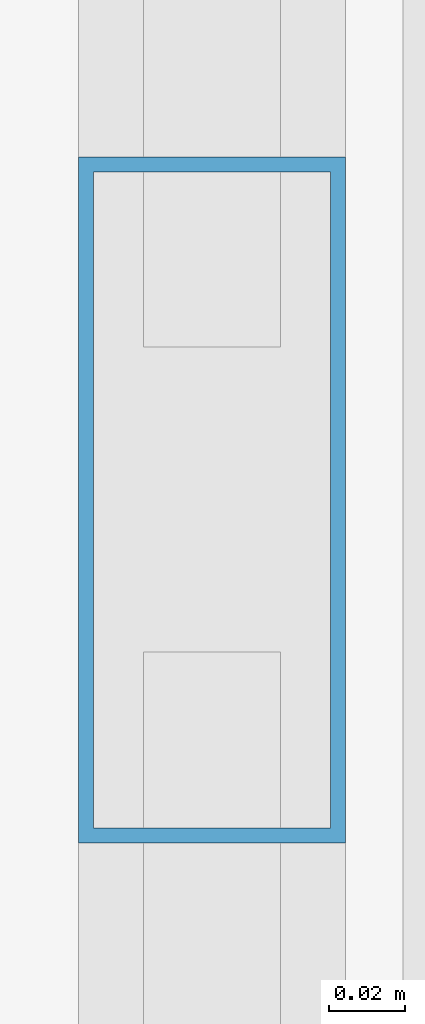
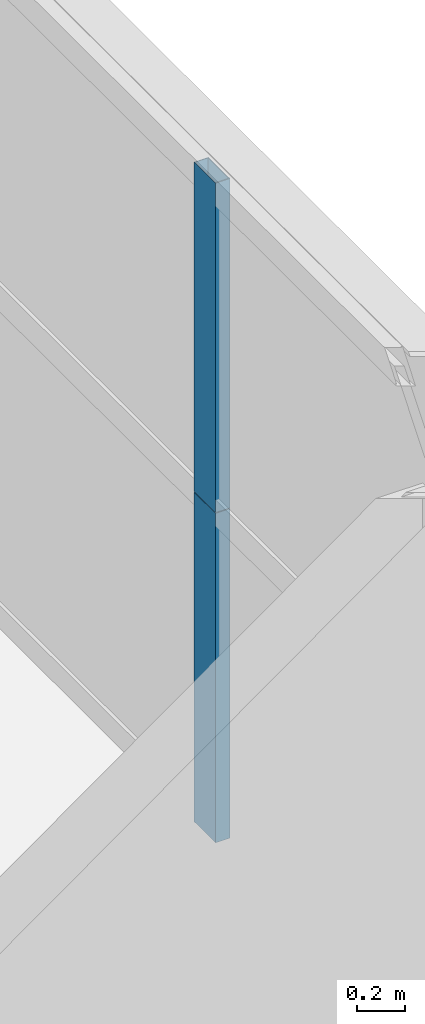
# One storey, part 29 of 39: 2 members, 1 element without a shape of its own.
"""IFC4 building model written with IfcOpenShell, lengths in metres."""

from ifc_helpers import new_model, si_unit, direction, frame, origin, origin_2d, place, context, subcontext, project, spatial, hollow_rectangle, extrude, source, transform, mapped, material, layer, layer_set, material_profile, profile_set, type_object, element, aggregate, save


model = new_model("IFC4")

# Units and contexts
model_context = context("Model", 3, precision=1e-05, world=origin(), true_north=direction((0.0, 1.0)))
body_context = subcontext(model_context, "Body", "Model", "MODEL_VIEW")
ifc_project = project(units=[si_unit("LENGTHUNIT", "METRE"), si_unit("AREAUNIT", "SQUARE_METRE"), si_unit("VOLUMEUNIT", "CUBIC_METRE"), si_unit("PLANEANGLEUNIT", "RADIAN"), si_unit("MASSUNIT", "GRAM", prefix="KILO"), si_unit("THERMODYNAMICTEMPERATUREUNIT", "KELVIN"), si_unit("POWERUNIT", "WATT")], contexts=[model_context])

# Site, building, storey
site_placement = place(None, origin())
site = spatial("IfcSite", under=ifc_project, at=site_placement, CompositionType="ELEMENT")
building_placement = place(site_placement, origin())
building = spatial("IfcBuilding", under=site, at=building_placement, Name="Yuzanri Waterfront Tower", CompositionType="ELEMENT")
storey_placement = place(building_placement, frame((0.0, 0.0, 148.800048828125)))
storey = spatial("IfcBuildingStorey", under=building, at=storey_placement, Name="L39", CompositionType="ELEMENT", Elevation=148.800048828125)

# Curtain wall, members
ifc_material_1 = material(Name="Anodized Architectural Bronze", Category="metal")
ifc_layer = layer(ifc_material_1, 0.159912109375)
ifc_layer_set = layer_set([ifc_layer], Name="Anodized Architectural Bronze")
curtain_wall_type = type_object("IfcCurtainWallType", Name="Anodized Bronze Hotel Upper-Tier Solar-Control Unitized Curtain Wall 7800", PredefinedType="NOTDEFINED", material=ifc_layer_set)
curtain_wall_placement = place(storey_placement, origin())
curtain_wall = element("IfcCurtainWall", 1, at=curtain_wall_placement, inside=storey, type_object=curtain_wall_type, Name="L39 Curtain Wall CW-L39-ER", PredefinedType="NOTDEFINED")
ifc_material_2 = material(Name="Anodized Architectural Bronze", Category="metal")
ifc_material_profile = material_profile(ifc_material_2, hollow_rectangle(XDim=0.070068359375, YDim=0.179931640625, WallThickness=0.00390625, at=origin_2d()), Name="CWM 70x180")
ifc_profile_set = profile_set([ifc_material_profile], Name="Anodized Architectural Bronze")
member_type = type_object("IfcMemberType", Name="Anodized Bronze Standard Curtain-Wall Mullion 70x180", PredefinedType="MULLION", material=ifc_profile_set)
shared_shape = source(origin(), body_context, "Body", "SweptSolid", [
    extrude(hollow_rectangle(XDim=0.070068359375, YDim=0.179931640625, WallThickness=0.00390625, at=origin_2d()), origin(), (0.0, 0.0, 1.0), 1.68798828125),
])
member_1_placement = place(storey_placement, frame((60.449951171875, 34.14990234375, 0.0), z_axis=(0.0, 0.0, 1.0), x_axis=(1.0, 0.0, 0.0)))
member_1 = element("IfcMember", 2, at=member_1_placement, type_object=member_type, Name="CW-L39-ER Lower Mullion 01", PredefinedType="MULLION", context=body_context, shape_type="MappedRepresentation", body=[
    mapped(shared_shape, transform((0.0, 0.0, 0.0), scale=1.0)),
])
member_2_placement = place(storey_placement, frame((60.449951171875, 34.14990234375, 1.69189453125), z_axis=(0.0, 0.0, 1.0), x_axis=(1.0, 0.0, 0.0)))
member_2 = element("IfcMember", 3, at=member_2_placement, type_object=member_type, Name="CW-L39-ER Upper Mullion 01", PredefinedType="MULLION", context=body_context, shape_type="MappedRepresentation", body=[
    mapped(shared_shape, transform((0.0, 0.0, 0.0), scale=1.0)),
])
aggregate(curtain_wall, [member_1, member_2])

save(model, "model.ifc")
